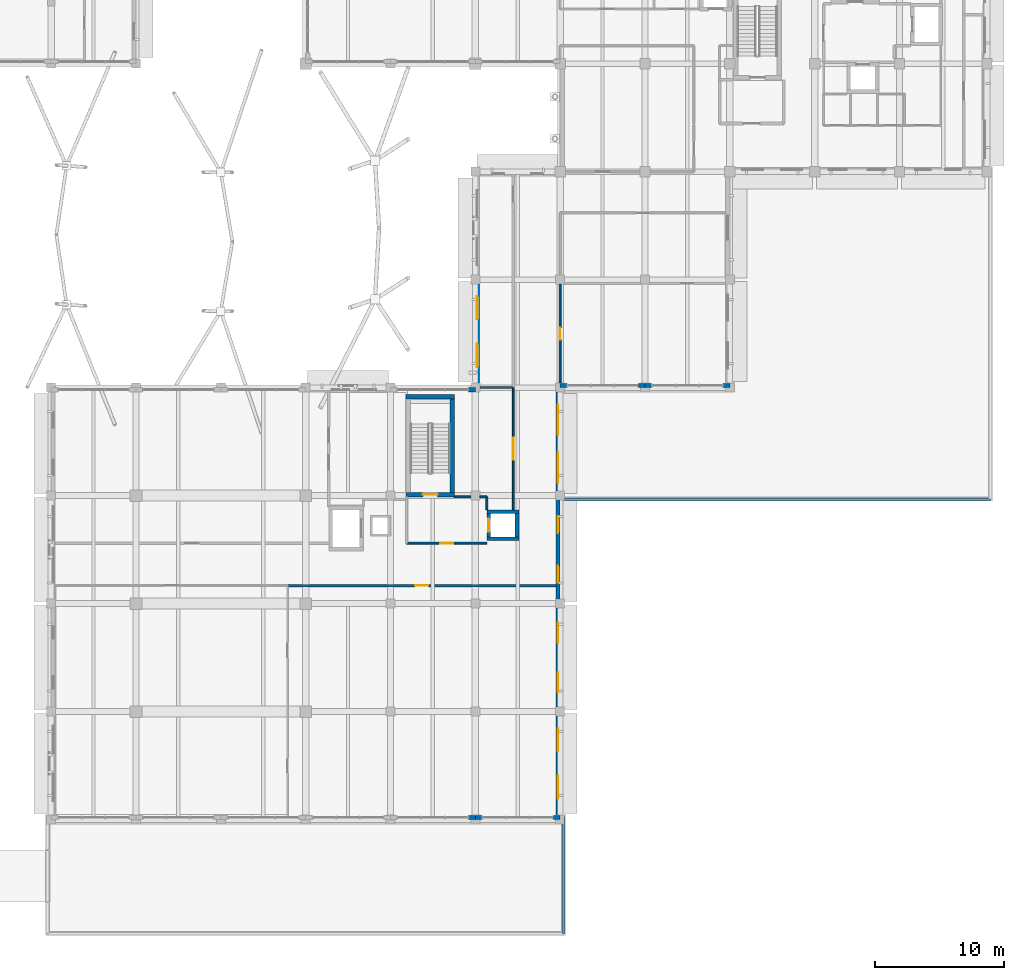
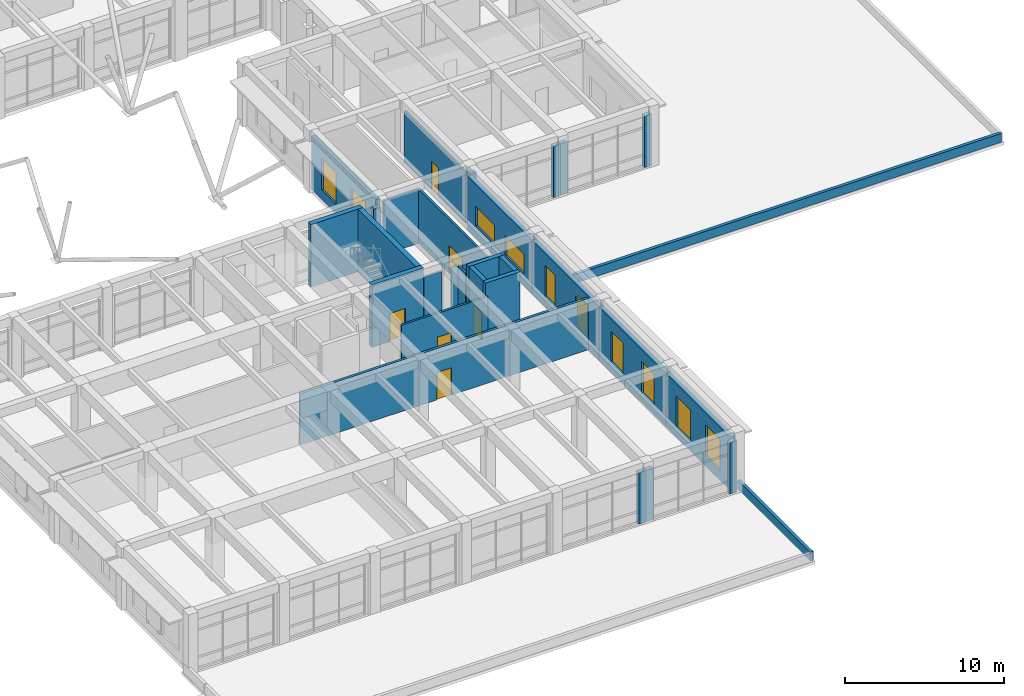
# One storey, part 51 of 75: 30 walls, 10 windows, 6 doors, 16 openings.
"""IFC4 building model written with IfcOpenShell, lengths in metres."""

from ifc_helpers import new_model, si_unit, direction, frame, frame_2d, origin, place, context, subcontext, project, spatial, rectangle, extrude, material, layer, layer_set, type_object, element, fill, save


model = new_model("IFC4")

# Units and contexts
model_context = context("Model", 3, precision=1e-05, world=origin(), true_north=direction((0.0, 1.0)))
body_context = subcontext(model_context, "Body", "Model", "MODEL_VIEW")
ifc_project = project(units=[si_unit("LENGTHUNIT", "METRE"), si_unit("AREAUNIT", "SQUARE_METRE"), si_unit("VOLUMEUNIT", "CUBIC_METRE"), si_unit("PLANEANGLEUNIT", "RADIAN"), si_unit("MASSUNIT", "GRAM", prefix="KILO")], contexts=[model_context])

# Site, building, storey
site_placement = place(None, origin())
site = spatial("IfcSite", under=ifc_project, at=site_placement, CompositionType="ELEMENT")
building_placement = place(site_placement, origin())
building = spatial("IfcBuilding", under=site, at=building_placement, Name="Kolvaren Faculty of Natural Sciences", CompositionType="ELEMENT")
storey_placement = place(building_placement, frame((0.0, 0.0, 5.39990234375)))
storey = spatial("IfcBuildingStorey", under=building, at=storey_placement, Name="L01", CompositionType="ELEMENT", Elevation=5.39990234375)

# Wall
ifc_material_1 = material(Name="Acoustic mineral-wool insulated gypsum partition")
ifc_layer_1 = layer(ifc_material_1, 0.159912109375)
ifc_layer_set_1 = layer_set([ifc_layer_1], Name="Acoustic mineral-wool insulated gypsum partition")
wall_type_1 = type_object("IfcWallType", Name="ClassroomPartitionWall_160", PredefinedType="PARTITIONING", material=ifc_layer_set_1)
wall_1_placement = place(storey_placement, frame((135.14990234375, 42.199951171875, 0.0), z_axis=(0.0, 0.0, 1.0), x_axis=(-1.0, 0.0, 0.0)))
element("IfcWall", 1, at=wall_1_placement, inside=storey, type_object=wall_type_1, Name="L01 interior partition PW-160", PredefinedType="PARTITIONING", context=body_context, shape_type="SweptSolid", body=[
    extrude(rectangle(XDim=2.599853515625, YDim=0.159912109375, at=frame_2d((1.2998046875, 0.0))), origin(), (0.0, 0.0, 1.0), 4.135009765625),
])

# Wall, opening, door
ifc_layer_2 = layer(ifc_material_1, 0.14501953125)
ifc_layer_set_2 = layer_set([ifc_layer_2], Name="Acoustic mineral-wool insulated gypsum partition")
wall_type_2 = type_object("IfcWallType", Name="CommonsPartitionWall_145", PredefinedType="PARTITIONING", material=ifc_layer_set_2)
wall_2_placement = place(storey_placement, frame((138.800048828125, 42.550048828125, 0.0), z_axis=(0.0, 0.0, 1.0), x_axis=(0.0, 1.0, 0.0)))
wall_2 = element("IfcWall", 2, at=wall_2_placement, inside=storey, type_object=wall_type_2, Name="L01 interior partition PW-145", PredefinedType="PARTITIONING", context=body_context, shape_type="SweptSolid", body=[
    extrude(rectangle(XDim=7.699951171875, YDim=0.14501953125, at=frame_2d((3.85009765625, 0.0))), origin(), (0.0, 0.0, 1.0), 3.93505859375),
])
opening_1_placement = place(wall_2_placement, frame((3.389892578125, 0.0, 0.0)))
opening_1 = element("IfcOpeningElement", 3, at=opening_1_placement, cuts=wall_2, Name="Opening ID-19", PredefinedType="OPENING", context=body_context, shape_type="SweptSolid", body=[
    extrude(rectangle(XDim=0.919921875, YDim=2.139892578125, at=frame_2d((0.4599609375, 1.06982421875))), frame((0.0, 0.08251953125, 0.0), z_axis=(0.0, -1.0, 0.0), x_axis=(1.0, 0.0, 0.0)), (0.0, 0.0, 1.0), 0.1650390625),
])
ifc_material_2 = material(Name="Solid-core hardwood veneer door leaf in steel frame", Category="steel")
door_type_1 = type_object("IfcDoorType", Name="InteriorRoomDoor_920x2140", OperationType="NOTDEFINED", PredefinedType="DOOR", material=ifc_material_2)
door_1_placement = place(opening_1_placement, origin())
door_1 = element("IfcDoor", 4, at=door_1_placement, inside=storey, type_object=door_type_1, Name="D-L01-0153", OperationType="SINGLE_SWING_LEFT", OverallHeight=2.139892578125, OverallWidth=0.919921875, PredefinedType="DOOR", context=body_context, shape_type="SweptSolid", body=[
    extrude(rectangle(XDim=0.919921875, YDim=2.139892578125, at=frame_2d((0.4599609375, 1.06982421875))), frame((0.0, 0.02490234375, 0.0), z_axis=(0.0, -1.0, 0.0), x_axis=(1.0, 0.0, 0.0)), (0.0, 0.0, 1.0), 0.050048828125),
])
fill(opening_1, door_1)

wall_3_placement = place(storey_placement, frame((135.14990234375, 42.199951171875, 0.0), z_axis=(0.0, 0.0, 1.0), x_axis=(0.0, -1.0, 0.0)))
wall_3 = element("IfcWall", 5, at=wall_3_placement, inside=storey, type_object=wall_type_2, Name="L01 interior partition PW-145", PredefinedType="PARTITIONING", context=body_context, shape_type="SweptSolid", body=[
    extrude(rectangle(XDim=9.498046875, YDim=0.14501953125, at=frame_2d((4.7490234375, 0.0))), origin(), (0.0, 0.0, 1.0), 4.135009765625),
])
opening_2_placement = place(wall_3_placement, frame((3.89892578125, 0.0, 0.0)))
opening_2 = element("IfcOpeningElement", 6, at=opening_2_placement, cuts=wall_3, Name="Opening ID-30", PredefinedType="OPENING", context=body_context, shape_type="SweptSolid", body=[
    extrude(rectangle(XDim=1.699951171875, YDim=2.139892578125, at=frame_2d((0.85009765625, 1.06982421875))), frame((0.0, 0.08251953125, 0.0), z_axis=(0.0, -1.0, 0.0), x_axis=(1.0, 0.0, 0.0)), (0.0, 0.0, 1.0), 0.1650390625),
])
ifc_material_3 = material(Name="Thermally broken anodised aluminium glazed door", Category="aluminium")
door_type_2 = type_object("IfcDoorType", Name="InteriorRoomDoor_1700x2140", OperationType="DOUBLE_DOOR_SINGLE_SWING", PredefinedType="DOOR", material=ifc_material_3)
door_2_placement = place(opening_2_placement, origin())
door_2 = element("IfcDoor", 7, at=door_2_placement, inside=storey, type_object=door_type_2, Name="D-L01-0166", OperationType="DOUBLE_DOOR_SINGLE_SWING", OverallHeight=2.139892578125, OverallWidth=1.699951171875, PredefinedType="DOOR", context=body_context, shape_type="SweptSolid", body=[
    extrude(rectangle(XDim=1.699951171875, YDim=2.139892578125, at=frame_2d((0.85009765625, 1.06982421875))), frame((0.0, 0.02490234375, 0.0), z_axis=(0.0, -1.0, 0.0), x_axis=(1.0, 0.0, 0.0)), (0.0, 0.0, 1.0), 0.050048828125),
])
fill(opening_2, door_2)

ifc_material_4 = material(Name="Concrete C40/50", Category="concrete")
ifc_layer_3 = layer(ifc_material_4, 0.35009765625)
ifc_layer_set_3 = layer_set([ifc_layer_3], Name="Concrete C40/50")
wall_type_3 = type_object("IfcWallType", Name="CoreShearWall_350", PredefinedType="SHEAR", material=ifc_layer_set_3)
wall_4_placement = place(storey_placement, frame((126.824951171875, 33.875, 0.0), z_axis=(0.0, 0.0, 1.0), x_axis=(1.0, 0.0, 0.0)))
wall_4 = element("IfcWall", 8, at=wall_4_placement, inside=storey, type_object=wall_type_3, Name="L01 CORE-C3 stair shear wall S", PredefinedType="SHEAR", context=body_context, shape_type="SweptSolid", body=[
    extrude(rectangle(XDim=3.75, YDim=0.35009765625, at=frame_2d((1.875, 0.0))), origin(), (0.0, 0.0, 1.0), 4.800048828125),
])
opening_3_placement = place(wall_4_placement, frame((1.300048828125, 0.0, 0.0)))
opening_3 = element("IfcOpeningElement", 9, at=opening_3_placement, cuts=wall_4, Name="Opening FD90", PredefinedType="OPENING", context=body_context, shape_type="SweptSolid", body=[
    extrude(rectangle(XDim=1.14990234375, YDim=2.14990234375, at=frame_2d((0.574951171875, 1.074951171875))), frame((0.0, 0.18505859375, 0.0), z_axis=(0.0, -1.0, 0.0), x_axis=(1.0, 0.0, 0.0)), (0.0, 0.0, 1.0), 0.3701171875),
])
ifc_material_5 = material(Name="Fire-rated solid-core hardwood door leaf in steel frame", Category="steel")
door_type_3 = type_object("IfcDoorType", Name="StairCoreFireDoor_1150x2150", OperationType="NOTDEFINED", PredefinedType="DOOR", material=ifc_material_5)
door_3_placement = place(opening_3_placement, origin())
door_3 = element("IfcDoor", 10, at=door_3_placement, inside=storey, type_object=door_type_3, Name="D-ST-ST-3-L01", OperationType="SINGLE_SWING_LEFT", OverallHeight=2.14990234375, OverallWidth=1.14990234375, PredefinedType="DOOR", context=body_context, shape_type="SweptSolid", body=[
    extrude(rectangle(XDim=1.14990234375, YDim=2.14990234375, at=frame_2d((0.574951171875, 1.074951171875))), frame((0.0, 0.02490234375, 0.0), z_axis=(0.0, -1.0, 0.0), x_axis=(1.0, 0.0, 0.0)), (0.0, 0.0, 1.0), 0.050048828125),
])
fill(opening_3, door_3)

# Walls
wall_5_placement = place(storey_placement, frame((126.824951171875, 41.5, 0.0), z_axis=(0.0, 0.0, 1.0), x_axis=(1.0, 0.0, 0.0)))
element("IfcWall", 11, at=wall_5_placement, inside=storey, type_object=wall_type_3, Name="L01 CORE-C3 stair shear wall N", PredefinedType="SHEAR", context=body_context, shape_type="SweptSolid", body=[
    extrude(rectangle(XDim=3.75, YDim=0.35009765625, at=frame_2d((1.875, 0.0))), origin(), (0.0, 0.0, 1.0), 4.800048828125),
])
wall_6_placement = place(storey_placement, frame((130.39990234375, 34.050048828125, 0.0), z_axis=(0.0, 0.0, 1.0), x_axis=(0.0, 1.0, 0.0)))
element("IfcWall", 12, at=wall_6_placement, inside=storey, type_object=wall_type_3, Name="L01 CORE-C3 stair shear wall E", PredefinedType="SHEAR", context=body_context, shape_type="SweptSolid", body=[
    extrude(rectangle(XDim=7.27490234375, YDim=0.35009765625, at=frame_2d((3.637451171875, 0.0))), origin(), (0.0, 0.0, 1.0), 4.800048828125),
])

# Wall, openings, windows
ifc_material_6 = material(Name="Sandstone-faced insulated cavity masonry", Category="masonry")
ifc_layer_4 = layer(ifc_material_6, 0.320068359375)
ifc_layer_set_4 = layer_set([ifc_layer_4], Name="Sandstone-faced insulated cavity masonry")
wall_type_4 = type_object("IfcWallType", Name="ExteriorCavityWall_320", PredefinedType="STANDARD", material=ifc_layer_set_4)
wall_7_placement = place(storey_placement, frame((132.360107421875, 42.52001953125, 0.0), z_axis=(0.0, 0.0, 1.0), x_axis=(0.0, 1.0, 0.0)))
wall_7 = element("IfcWall", 13, at=wall_7_placement, inside=storey, type_object=wall_type_4, Name="L01 exterior masonry wall EW-320 (183)", PredefinedType="STANDARD", context=body_context, shape_type="SweptSolid", body=[
    extrude(rectangle(XDim=8.080078125, YDim=0.320068359375, at=frame_2d((4.0400390625, 0.0))), origin(), (0.0, 0.0, 1.0), 4.085205078125),
])
opening_4_placement = place(wall_7_placement, frame((1.281494140625, 0.0, 0.75)))
opening_4 = element("IfcOpeningElement", 14, at=opening_4_placement, cuts=wall_7, Name="Opening WIN-21", PredefinedType="OPENING", context=body_context, shape_type="SweptSolid", body=[
    extrude(rectangle(XDim=1.800048828125, YDim=2.39990234375, at=frame_2d((0.89990234375, 1.199951171875))), frame((0.0, 0.169921875, 0.0), z_axis=(0.0, -1.0, 0.0), x_axis=(1.0, 0.0, 0.0)), (0.0, 0.0, 1.0), 0.340087890625),
])
opening_5_placement = place(wall_7_placement, frame((4.998291015625, 0.0, 0.75)))
opening_5 = element("IfcOpeningElement", 15, at=opening_5_placement, cuts=wall_7, Name="Opening WIN-21", PredefinedType="OPENING", context=body_context, shape_type="SweptSolid", body=[
    extrude(rectangle(XDim=1.800048828125, YDim=2.39990234375, at=frame_2d((0.89990234375, 1.199951171875))), frame((0.0, 0.169921875, 0.0), z_axis=(0.0, -1.0, 0.0), x_axis=(1.0, 0.0, 0.0)), (0.0, 0.0, 1.0), 0.340087890625),
])
ifc_material_7 = material(Name="Double low-E solar control insulated glazing", Category="glass")
window_type_1 = type_object("IfcWindowType", Name="AluWindow_WIN21_1800x2400", PartitioningType="SINGLE_PANEL", PredefinedType="WINDOW", material=ifc_material_7)
window_1_placement = place(opening_4_placement, origin())
window_1 = element("IfcWindow", 16, at=window_1_placement, inside=storey, type_object=window_type_1, Name="WIN-L01-0167", OverallHeight=2.39990234375, OverallWidth=1.800048828125, PartitioningType="SINGLE_PANEL", PredefinedType="WINDOW", context=body_context, shape_type="SweptSolid", body=[
    extrude(rectangle(XDim=1.800048828125, YDim=2.39990234375, at=frame_2d((0.89990234375, 1.199951171875))), frame((0.0, 0.030029296875, 0.0), z_axis=(0.0, -1.0, 0.0), x_axis=(1.0, 0.0, 0.0)), (0.0, 0.0, 1.0), 0.06005859375),
])
fill(opening_4, window_1)
window_2_placement = place(opening_5_placement, origin())
window_2 = element("IfcWindow", 17, at=window_2_placement, inside=storey, type_object=window_type_1, Name="WIN-L01-0168", OverallHeight=2.39990234375, OverallWidth=1.800048828125, PartitioningType="SINGLE_PANEL", PredefinedType="WINDOW", context=body_context, shape_type="SweptSolid", body=[
    extrude(rectangle(XDim=1.800048828125, YDim=2.39990234375, at=frame_2d((0.89990234375, 1.199951171875))), frame((0.0, 0.030029296875, 0.0), z_axis=(0.0, -1.0, 0.0), x_axis=(1.0, 0.0, 0.0)), (0.0, 0.0, 1.0), 0.06005859375),
])
fill(opening_5, window_2)

# Walls
for number, where, z_axis, x_axis, name in (
    (18, (152.0, 42.360107421875, 0.0), (0.0, 0.0, 1.0), (-1.0, 0.0, 0.0), "L01 curtain-wall pier stub 224"),
    (19, (145.919921875, 42.360107421875, 0.0), (0.0, 0.0, 1.0), (-1.0, 0.0, 0.0), "L01 curtain-wall pier stub 225"),
    (20, (145.39990234375, 42.360107421875, 0.0), (0.0, 0.0, 1.0), (-1.0, 0.0, 0.0), "L01 curtain-wall pier stub 226"),
    (21, (139.320068359375, 42.360107421875, 0.0), (0.0, 0.0, 1.0), (-1.0, 0.0, 0.0), "L01 curtain-wall pier stub 227"),
):
    element("IfcWall", number, at=place(storey_placement, frame(where, z_axis=z_axis, x_axis=x_axis)), inside=storey, type_object=wall_type_4, Name=name, PredefinedType="STANDARD", context=body_context, shape_type="SweptSolid", body=[
        extrude(rectangle(XDim=0.52001953125, YDim=0.320068359375, at=frame_2d((0.260009765625, 0.0))), origin(), (0.0, 0.0, 1.0), 3.93505859375),
    ])

# Wall, openings, windows
wall_8_placement = place(storey_placement, frame((138.639892578125, 41.8798828125, 0.0), z_axis=(0.0, 0.0, 1.0), x_axis=(0.0, -1.0, 0.0)))
wall_8 = element("IfcWall", 22, at=wall_8_placement, inside=storey, type_object=wall_type_4, Name="L01 exterior masonry wall EW-320 (228)", PredefinedType="STANDARD", context=body_context, shape_type="SweptSolid", body=[
    extrude(rectangle(XDim=8.079833984375, YDim=0.320068359375, at=frame_2d((4.0400390625, 0.0))), origin(), (0.0, 0.0, 1.0), 4.085205078125),
])
opening_6_placement = place(wall_8_placement, frame((1.006591796875, 0.0, 0.89990234375)))
opening_6 = element("IfcOpeningElement", 23, at=opening_6_placement, cuts=wall_8, Name="Opening WIN-18", PredefinedType="OPENING", context=body_context, shape_type="SweptSolid", body=[
    extrude(rectangle(XDim=2.35009765625, YDim=1.5, at=frame_2d((1.175048828125, 0.75))), frame((0.0, 0.169921875, 0.0), z_axis=(0.0, -1.0, 0.0), x_axis=(1.0, 0.0, 0.0)), (0.0, 0.0, 1.0), 0.340087890625),
])
opening_7_placement = place(wall_8_placement, frame((4.723388671875, 0.0, 0.89990234375)))
opening_7 = element("IfcOpeningElement", 24, at=opening_7_placement, cuts=wall_8, Name="Opening WIN-18", PredefinedType="OPENING", context=body_context, shape_type="SweptSolid", body=[
    extrude(rectangle(XDim=2.35009765625, YDim=1.5, at=frame_2d((1.175048828125, 0.75))), frame((0.0, 0.169921875, 0.0), z_axis=(0.0, -1.0, 0.0), x_axis=(1.0, 0.0, 0.0)), (0.0, 0.0, 1.0), 0.340087890625),
])
window_type_2 = type_object("IfcWindowType", Name="AluWindow_WIN18_2350x1500", PartitioningType="SINGLE_PANEL", PredefinedType="WINDOW", material=ifc_material_7)
window_3_placement = place(opening_6_placement, origin())
window_3 = element("IfcWindow", 25, at=window_3_placement, inside=storey, type_object=window_type_2, Name="WIN-L01-0199", OverallHeight=1.5, OverallWidth=2.35009765625, PartitioningType="SINGLE_PANEL", PredefinedType="WINDOW", context=body_context, shape_type="SweptSolid", body=[
    extrude(rectangle(XDim=2.35009765625, YDim=1.5, at=frame_2d((1.175048828125, 0.75))), frame((0.0, 0.030029296875, 0.0), z_axis=(0.0, -1.0, 0.0), x_axis=(1.0, 0.0, 0.0)), (0.0, 0.0, 1.0), 0.06005859375),
])
fill(opening_6, window_3)
window_4_placement = place(opening_7_placement, origin())
window_4 = element("IfcWindow", 26, at=window_4_placement, inside=storey, type_object=window_type_2, Name="WIN-L01-0200", OverallHeight=1.5, OverallWidth=2.35009765625, PartitioningType="SINGLE_PANEL", PredefinedType="WINDOW", context=body_context, shape_type="SweptSolid", body=[
    extrude(rectangle(XDim=2.35009765625, YDim=1.5, at=frame_2d((1.175048828125, 0.75))), frame((0.0, 0.030029296875, 0.0), z_axis=(0.0, -1.0, 0.0), x_axis=(1.0, 0.0, 0.0)), (0.0, 0.0, 1.0), 0.06005859375),
])
fill(opening_7, window_4)

wall_9_placement = place(storey_placement, frame((138.639892578125, 33.800048828125, 0.0), z_axis=(0.0, 0.0, 1.0), x_axis=(0.0, -1.0, 0.0)))
wall_9 = element("IfcWall", 27, at=wall_9_placement, inside=storey, type_object=wall_type_4, Name="L01 exterior masonry wall EW-320 (229)", PredefinedType="STANDARD", context=body_context, shape_type="SweptSolid", body=[
    extrude(rectangle(XDim=8.400146484375, YDim=0.320068359375, at=frame_2d((4.2001953125, 0.0))), origin(), (0.0, 0.0, 1.0), 4.085205078125),
])
opening_8_placement = place(wall_9_placement, frame((1.617919921875, 0.0, 0.75)))
opening_8 = element("IfcOpeningElement", 28, at=opening_8_placement, cuts=wall_9, Name="Opening WIN-19", PredefinedType="OPENING", context=body_context, shape_type="SweptSolid", body=[
    extrude(rectangle(XDim=1.300048828125, YDim=2.39990234375, at=frame_2d((0.64990234375, 1.199951171875))), frame((0.0, 0.169921875, 0.0), z_axis=(0.0, -1.0, 0.0), x_axis=(1.0, 0.0, 0.0)), (0.0, 0.0, 1.0), 0.340087890625),
])
opening_9_placement = place(wall_9_placement, frame((5.4599609375, 0.0, 0.75)))
opening_9 = element("IfcOpeningElement", 29, at=opening_9_placement, cuts=wall_9, Name="Opening WIN-19", PredefinedType="OPENING", context=body_context, shape_type="SweptSolid", body=[
    extrude(rectangle(XDim=1.300048828125, YDim=2.39990234375, at=frame_2d((0.64990234375, 1.199951171875))), frame((0.0, 0.169921875, 0.0), z_axis=(0.0, -1.0, 0.0), x_axis=(1.0, 0.0, 0.0)), (0.0, 0.0, 1.0), 0.340087890625),
])
window_type_3 = type_object("IfcWindowType", Name="AluWindow_WIN19_1300x2400", PartitioningType="SINGLE_PANEL", PredefinedType="WINDOW", material=ifc_material_7)
window_5_placement = place(opening_8_placement, origin())
window_5 = element("IfcWindow", 30, at=window_5_placement, inside=storey, type_object=window_type_3, Name="WIN-L01-0201", OverallHeight=2.39990234375, OverallWidth=1.300048828125, PartitioningType="SINGLE_PANEL", PredefinedType="WINDOW", context=body_context, shape_type="SweptSolid", body=[
    extrude(rectangle(XDim=1.300048828125, YDim=2.39990234375, at=frame_2d((0.64990234375, 1.199951171875))), frame((0.0, 0.030029296875, 0.0), z_axis=(0.0, -1.0, 0.0), x_axis=(1.0, 0.0, 0.0)), (0.0, 0.0, 1.0), 0.06005859375),
])
fill(opening_8, window_5)
window_6_placement = place(opening_9_placement, origin())
window_6 = element("IfcWindow", 31, at=window_6_placement, inside=storey, type_object=window_type_3, Name="WIN-L01-0202", OverallHeight=2.39990234375, OverallWidth=1.300048828125, PartitioningType="SINGLE_PANEL", PredefinedType="WINDOW", context=body_context, shape_type="SweptSolid", body=[
    extrude(rectangle(XDim=1.300048828125, YDim=2.39990234375, at=frame_2d((0.64990234375, 1.199951171875))), frame((0.0, 0.030029296875, 0.0), z_axis=(0.0, -1.0, 0.0), x_axis=(1.0, 0.0, 0.0)), (0.0, 0.0, 1.0), 0.06005859375),
])
fill(opening_9, window_6)

wall_10_placement = place(storey_placement, frame((138.639892578125, 25.39990234375, 0.0), z_axis=(0.0, 0.0, 1.0), x_axis=(0.0, -1.0, 0.0)))
wall_10 = element("IfcWall", 32, at=wall_10_placement, inside=storey, type_object=wall_type_4, Name="L01 exterior masonry wall EW-320 (230)", PredefinedType="STANDARD", context=body_context, shape_type="SweptSolid", body=[
    extrude(rectangle(XDim=8.39990234375, YDim=0.320068359375, at=frame_2d((4.199951171875, 0.0))), origin(), (0.0, 0.0, 1.0), 4.085205078125),
])
opening_10_placement = place(wall_10_placement, frame((1.492919921875, 0.0, 0.75)))
opening_10 = element("IfcOpeningElement", 33, at=opening_10_placement, cuts=wall_10, Name="Opening WIN-20", PredefinedType="OPENING", context=body_context, shape_type="SweptSolid", body=[
    extrude(rectangle(XDim=1.550048828125, YDim=2.39990234375, at=frame_2d((0.77490234375, 1.199951171875))), frame((0.0, 0.169921875, 0.0), z_axis=(0.0, -1.0, 0.0), x_axis=(1.0, 0.0, 0.0)), (0.0, 0.0, 1.0), 0.340087890625),
])
opening_11_placement = place(wall_10_placement, frame((5.35693359375, 0.0, 0.75)))
opening_11 = element("IfcOpeningElement", 34, at=opening_11_placement, cuts=wall_10, Name="Opening WIN-20", PredefinedType="OPENING", context=body_context, shape_type="SweptSolid", body=[
    extrude(rectangle(XDim=1.550048828125, YDim=2.39990234375, at=frame_2d((0.77490234375, 1.199951171875))), frame((0.0, 0.169921875, 0.0), z_axis=(0.0, -1.0, 0.0), x_axis=(1.0, 0.0, 0.0)), (0.0, 0.0, 1.0), 0.340087890625),
])
window_type_4 = type_object("IfcWindowType", Name="AluWindow_WIN20_1550x2400", PartitioningType="SINGLE_PANEL", PredefinedType="WINDOW", material=ifc_material_7)
window_7_placement = place(opening_10_placement, origin())
window_7 = element("IfcWindow", 35, at=window_7_placement, inside=storey, type_object=window_type_4, Name="WIN-L01-0203", OverallHeight=2.39990234375, OverallWidth=1.550048828125, PartitioningType="SINGLE_PANEL", PredefinedType="WINDOW", context=body_context, shape_type="SweptSolid", body=[
    extrude(rectangle(XDim=1.550048828125, YDim=2.39990234375, at=frame_2d((0.77490234375, 1.199951171875))), frame((0.0, 0.030029296875, 0.0), z_axis=(0.0, -1.0, 0.0), x_axis=(1.0, 0.0, 0.0)), (0.0, 0.0, 1.0), 0.06005859375),
])
fill(opening_10, window_7)
window_8_placement = place(opening_11_placement, origin())
window_8 = element("IfcWindow", 36, at=window_8_placement, inside=storey, type_object=window_type_4, Name="WIN-L01-0204", OverallHeight=2.39990234375, OverallWidth=1.550048828125, PartitioningType="SINGLE_PANEL", PredefinedType="WINDOW", context=body_context, shape_type="SweptSolid", body=[
    extrude(rectangle(XDim=1.550048828125, YDim=2.39990234375, at=frame_2d((0.77490234375, 1.199951171875))), frame((0.0, 0.030029296875, 0.0), z_axis=(0.0, -1.0, 0.0), x_axis=(1.0, 0.0, 0.0)), (0.0, 0.0, 1.0), 0.06005859375),
])
fill(opening_11, window_8)

wall_11_placement = place(storey_placement, frame((138.639892578125, 17.0, 0.0), z_axis=(0.0, 0.0, 1.0), x_axis=(0.0, -1.0, 0.0)))
wall_11 = element("IfcWall", 37, at=wall_11_placement, inside=storey, type_object=wall_type_4, Name="L01 exterior masonry wall EW-320 (231)", PredefinedType="STANDARD", context=body_context, shape_type="SweptSolid", body=[
    extrude(rectangle(XDim=8.080078125, YDim=0.320068359375, at=frame_2d((4.0400390625, 0.0))), origin(), (0.0, 0.0, 1.0), 4.085205078125),
])
opening_12_placement = place(wall_11_placement, frame((1.281494140625, 0.0, 0.75)))
opening_12 = element("IfcOpeningElement", 38, at=opening_12_placement, cuts=wall_11, Name="Opening WIN-21", PredefinedType="OPENING", context=body_context, shape_type="SweptSolid", body=[
    extrude(rectangle(XDim=1.800048828125, YDim=2.39990234375, at=frame_2d((0.89990234375, 1.199951171875))), frame((0.0, 0.169921875, 0.0), z_axis=(0.0, -1.0, 0.0), x_axis=(1.0, 0.0, 0.0)), (0.0, 0.0, 1.0), 0.340087890625),
])
opening_13_placement = place(wall_11_placement, frame((4.998291015625, 0.0, 0.75)))
opening_13 = element("IfcOpeningElement", 39, at=opening_13_placement, cuts=wall_11, Name="Opening WIN-21", PredefinedType="OPENING", context=body_context, shape_type="SweptSolid", body=[
    extrude(rectangle(XDim=1.800048828125, YDim=2.39990234375, at=frame_2d((0.89990234375, 1.199951171875))), frame((0.0, 0.169921875, 0.0), z_axis=(0.0, -1.0, 0.0), x_axis=(1.0, 0.0, 0.0)), (0.0, 0.0, 1.0), 0.340087890625),
])
window_9_placement = place(opening_12_placement, origin())
window_9 = element("IfcWindow", 40, at=window_9_placement, inside=storey, type_object=window_type_1, Name="WIN-L01-0205", OverallHeight=2.39990234375, OverallWidth=1.800048828125, PartitioningType="SINGLE_PANEL", PredefinedType="WINDOW", context=body_context, shape_type="SweptSolid", body=[
    extrude(rectangle(XDim=1.800048828125, YDim=2.39990234375, at=frame_2d((0.89990234375, 1.199951171875))), frame((0.0, 0.030029296875, 0.0), z_axis=(0.0, -1.0, 0.0), x_axis=(1.0, 0.0, 0.0)), (0.0, 0.0, 1.0), 0.06005859375),
])
fill(opening_12, window_9)
window_10_placement = place(opening_13_placement, origin())
window_10 = element("IfcWindow", 41, at=window_10_placement, inside=storey, type_object=window_type_1, Name="WIN-L01-0206", OverallHeight=2.39990234375, OverallWidth=1.800048828125, PartitioningType="SINGLE_PANEL", PredefinedType="WINDOW", context=body_context, shape_type="SweptSolid", body=[
    extrude(rectangle(XDim=1.800048828125, YDim=2.39990234375, at=frame_2d((0.89990234375, 1.199951171875))), frame((0.0, 0.030029296875, 0.0), z_axis=(0.0, -1.0, 0.0), x_axis=(1.0, 0.0, 0.0)), (0.0, 0.0, 1.0), 0.06005859375),
])
fill(opening_13, window_10)

# Walls
for number, where, z_axis, x_axis, name in (
    (42, (138.800048828125, 8.760009765625, 0.0), (0.0, 0.0, 1.0), (-1.0, 0.0, 0.0), "L01 curtain-wall pier stub 232"),
    (43, (132.719970703125, 8.760009765625, 0.0), (0.0, 0.0, 1.0), (-1.0, 0.0, 0.0), "L01 curtain-wall pier stub 233"),
    (44, (132.199951171875, 8.760009765625, 0.0), (0.0, 0.0, 1.0), (-1.0, 0.0, 0.0), "L01 curtain-wall pier stub 234"),
    (45, (131.679931640625, 42.0400390625, 0.0), (0.0, 0.0, 1.0), (1.0, 0.0, 0.0), "L01 curtain-wall pier stub 256"),
):
    element("IfcWall", number, at=place(storey_placement, frame(where, z_axis=z_axis, x_axis=x_axis)), inside=storey, type_object=wall_type_4, Name=name, PredefinedType="STANDARD", context=body_context, shape_type="SweptSolid", body=[
        extrude(rectangle(XDim=0.52001953125, YDim=0.320068359375, at=frame_2d((0.260009765625, 0.0))), origin(), (0.0, 0.0, 1.0), 3.93505859375),
    ])

# Wall, opening, door
ifc_layer_5 = layer(ifc_material_1, 0.18505859375)
ifc_layer_set_5 = layer_set([ifc_layer_5], Name="Acoustic mineral-wool insulated gypsum partition")
wall_type_5 = type_object("IfcWallType", Name="LabPartitionWall_185", PredefinedType="PARTITIONING", material=ifc_layer_set_5)
wall_12_placement = place(storey_placement, frame((117.60009765625, 26.800048828125, 0.0), z_axis=(0.0, 0.0, 1.0), x_axis=(1.0, 0.0, 0.0)))
wall_12 = element("IfcWall", 46, at=wall_12_placement, inside=storey, type_object=wall_type_5, Name="L01 interior partition PW-185", PredefinedType="PARTITIONING", context=body_context, shape_type="SweptSolid", body=[
    extrude(rectangle(XDim=20.8779296875, YDim=0.18505859375, at=frame_2d((10.43896484375, 0.0))), origin(), (0.0, 0.0, 1.0), 3.93505859375),
])
opening_14_placement = place(wall_12_placement, frame((9.924072265625, 0.0, 0.0)))
opening_14 = element("IfcOpeningElement", 47, at=opening_14_placement, cuts=wall_12, Name="Opening ID-15", PredefinedType="OPENING", context=body_context, shape_type="SweptSolid", body=[
    extrude(rectangle(XDim=1.030029296875, YDim=2.10009765625, at=frame_2d((0.51513671875, 1.050048828125))), frame((0.0, 0.1025390625, 0.0), z_axis=(0.0, -1.0, 0.0), x_axis=(1.0, 0.0, 0.0)), (0.0, 0.0, 1.0), 0.205078125),
])
door_type_4 = type_object("IfcDoorType", Name="InteriorRoomDoor_1030x2100", OperationType="NOTDEFINED", PredefinedType="DOOR", material=ifc_material_2)
door_4_placement = place(opening_14_placement, origin())
door_4 = element("IfcDoor", 48, at=door_4_placement, inside=storey, type_object=door_type_4, Name="D-L01-0147", OperationType="SINGLE_SWING_LEFT", OverallHeight=2.10009765625, OverallWidth=1.030029296875, PredefinedType="DOOR", context=body_context, shape_type="SweptSolid", body=[
    extrude(rectangle(XDim=1.030029296875, YDim=2.10009765625, at=frame_2d((0.51513671875, 1.050048828125))), frame((0.0, 0.02490234375, 0.0), z_axis=(0.0, -1.0, 0.0), x_axis=(1.0, 0.0, 0.0)), (0.0, 0.0, 1.0), 0.050048828125),
])
fill(opening_14, door_4)

# Walls
ifc_material_8 = material(Name="Precast concrete C35/45", Category="concrete")
ifc_layer_6 = layer(ifc_material_8, 0.219970703125)
ifc_layer_set_6 = layer_set([ifc_layer_6], Name="Precast concrete C35/45")
wall_type_6 = type_object("IfcWallType", Name="ParapetUpstandWall_220", PredefinedType="PARAPET", material=ifc_layer_set_6)
wall_13_placement = place(storey_placement, frame((139.080078125, 8.830078125, 0.0), z_axis=(0.0, 0.0, 1.0), x_axis=(0.0, -1.0, 0.0)))
element("IfcWall", 49, at=wall_13_placement, inside=storey, type_object=wall_type_6, Name="L01 architectural sandstone roof parapet 3", PredefinedType="PARAPET", context=body_context, shape_type="SweptSolid", body=[
    extrude(rectangle(XDim=9.110107421875, YDim=0.219970703125, at=frame_2d((4.55517578125, 0.0))), origin(), (0.0, 0.0, 1.0), 0.68017578125),
])
wall_14_placement = place(storey_placement, frame((172.280029296875, 33.52001953125, 0.0), z_axis=(0.0, 0.0, 1.0), x_axis=(-1.0, 0.0, 0.0)))
element("IfcWall", 50, at=wall_14_placement, inside=storey, type_object=wall_type_6, Name="L01 architectural sandstone roof parapet 13", PredefinedType="PARAPET", context=body_context, shape_type="SweptSolid", body=[
    extrude(rectangle(XDim=33.22998046875, YDim=0.219970703125, at=frame_2d((16.614990234375, 0.0))), origin(), (0.0, 0.0, 1.0), 0.68017578125),
])
ifc_material_9 = material(Name="Double fire-rated gypsum board on 100 mm steel stud", Category="steel")
ifc_layer_7 = layer(ifc_material_9, 0.14990234375)
ifc_layer_set_7 = layer_set([ifc_layer_7], Name="Double fire-rated gypsum board on 100 mm steel stud")
wall_type_7 = type_object("IfcWallType", Name="RatedCorridorWall_150", PredefinedType="PARTITIONING", material=ifc_layer_set_7)
wall_15_placement = place(storey_placement, frame((130.574951171875, 33.699951171875, 0.0), z_axis=(0.0, 0.0, 1.0), x_axis=(1.0, 0.0, 0.0)))
element("IfcWall", 51, at=wall_15_placement, inside=storey, type_object=wall_type_7, Name="L01 interior partition LW-150", PredefinedType="PARTITIONING", context=body_context, shape_type="SweptSolid", body=[
    extrude(rectangle(XDim=1.275146484375, YDim=0.14990234375, at=frame_2d((0.6376953125, 0.0))), origin(), (0.0, 0.0, 1.0), 4.135009765625),
])
wall_16_placement = place(storey_placement, frame((132.550048828125, 33.699951171875, 0.0), z_axis=(0.0, 0.0, 1.0), x_axis=(1.0, 0.0, 0.0)))
element("IfcWall", 52, at=wall_16_placement, inside=storey, type_object=wall_type_7, Name="L01 interior partition LW-150", PredefinedType="PARTITIONING", context=body_context, shape_type="SweptSolid", body=[
    extrude(rectangle(XDim=0.550048828125, YDim=0.14990234375, at=frame_2d((0.27490234375, 0.0))), origin(), (0.0, 0.0, 1.0), 4.135009765625),
])
wall_17_placement = place(storey_placement, frame((133.10009765625, 33.699951171875, 0.0), z_axis=(0.0, 0.0, 1.0), x_axis=(0.0, -1.0, 0.0)))
element("IfcWall", 53, at=wall_17_placement, inside=storey, type_object=wall_type_7, Name="L01 interior partition LW-150", PredefinedType="PARTITIONING", context=body_context, shape_type="SweptSolid", body=[
    extrude(rectangle(XDim=0.998046875, YDim=0.14990234375, at=frame_2d((0.4990234375, 0.0))), origin(), (0.0, 0.0, 1.0), 4.135009765625),
])

# Wall, opening, door
wall_18_placement = place(storey_placement, frame((133.10009765625, 30.10009765625, 0.0), z_axis=(0.0, 0.0, 1.0), x_axis=(-1.0, 0.0, 0.0)))
wall_18 = element("IfcWall", 54, at=wall_18_placement, inside=storey, type_object=wall_type_7, Name="L01 interior partition LW-150", PredefinedType="PARTITIONING", context=body_context, shape_type="SweptSolid", body=[
    extrude(rectangle(XDim=6.25, YDim=0.14990234375, at=frame_2d((3.125, 0.0))), origin(), (0.0, 0.0, 1.0), 3.93505859375),
])
opening_15_placement = place(wall_18_placement, frame((2.625, 0.0, 0.0)))
opening_15 = element("IfcOpeningElement", 55, at=opening_15_placement, cuts=wall_18, Name="Opening FD30", PredefinedType="OPENING", context=body_context, shape_type="SweptSolid", body=[
    extrude(rectangle(XDim=1.0, YDim=2.10009765625, at=frame_2d((0.5, 1.050048828125))), frame((0.0, 0.0849609375, 0.0), z_axis=(0.0, -1.0, 0.0), x_axis=(1.0, 0.0, 0.0)), (0.0, 0.0, 1.0), 0.169921875),
])
door_type_5 = type_object("IfcDoorType", Name="CorridorFireDoor_1000x2100", OperationType="NOTDEFINED", PredefinedType="DOOR", material=ifc_material_5)
door_5_placement = place(opening_15_placement, origin())
door_5 = element("IfcDoor", 56, at=door_5_placement, inside=storey, type_object=door_type_5, Name="D-L01-0105", OperationType="SINGLE_SWING_LEFT", OverallHeight=2.10009765625, OverallWidth=1.0, PredefinedType="DOOR", context=body_context, shape_type="SweptSolid", body=[
    extrude(rectangle(XDim=1.0, YDim=2.10009765625, at=frame_2d((0.5, 1.050048828125))), frame((0.0, 0.02490234375, 0.0), z_axis=(0.0, -1.0, 0.0), x_axis=(1.0, 0.0, 0.0)), (0.0, 0.0, 1.0), 0.050048828125),
])
fill(opening_15, door_5)

# Walls
ifc_layer_8 = layer(ifc_material_4, 0.300048828125)
ifc_layer_set_8 = layer_set([ifc_layer_8], Name="Concrete C40/50")
wall_type_8 = type_object("IfcWallType", Name="ShaftShearWall_300", PredefinedType="SHEAR", material=ifc_layer_set_8)
for number, where, z_axis, x_axis, name in (
    (57, (133.10009765625, 30.449951171875, 0.0), (0.0, 0.0, 1.0), (1.0, 0.0, 0.0), "L01 lift PL-3 shaft wall S"),
    (58, (133.10009765625, 32.550048828125, 0.0), (0.0, 0.0, 1.0), (1.0, 0.0, 0.0), "L01 lift PL-3 shaft wall N"),
):
    element("IfcWall", number, at=place(storey_placement, frame(where, z_axis=z_axis, x_axis=x_axis)), inside=storey, type_object=wall_type_8, Name=name, PredefinedType="SHEAR", context=body_context, shape_type="SweptSolid", body=[
        extrude(rectangle(XDim=2.5, YDim=0.300048828125, at=frame_2d((1.25, 0.0))), origin(), (0.0, 0.0, 1.0), 4.800048828125),
    ])

# Wall, opening, door
wall_19_placement = place(storey_placement, frame((133.25, 30.60009765625, 0.0), z_axis=(0.0, 0.0, 1.0), x_axis=(0.0, 1.0, 0.0)))
wall_19 = element("IfcWall", 59, at=wall_19_placement, inside=storey, type_object=wall_type_8, Name="L01 lift PL-3 shaft wall W", PredefinedType="SHEAR", context=body_context, shape_type="SweptSolid", body=[
    extrude(rectangle(XDim=1.7998046875, YDim=0.300048828125, at=frame_2d((0.89990234375, 0.0))), origin(), (0.0, 0.0, 1.0), 4.800048828125),
])
opening_16_placement = place(wall_19_placement, frame((0.39990234375, 0.0, 0.0)))
opening_16 = element("IfcOpeningElement", 60, at=opening_16_placement, cuts=wall_19, Name="Opening LD-02", PredefinedType="OPENING", context=body_context, shape_type="SweptSolid", body=[
    extrude(rectangle(XDim=1.0, YDim=2.10009765625, at=frame_2d((0.5, 1.050048828125))), frame((0.0, 0.159912109375, 0.0), z_axis=(0.0, -1.0, 0.0), x_axis=(1.0, 0.0, 0.0)), (0.0, 0.0, 1.0), 0.320068359375),
])
ifc_material_10 = material(Name="Brushed stainless steel lift car and sliding door assembly", Category="steel")
door_type_6 = type_object("IfcDoorType", Name="LiftLandingSliding_1000x2100", OperationType="SLIDING_TO_LEFT", PredefinedType="DOOR", material=ifc_material_10)
door_6_placement = place(opening_16_placement, origin())
door_6 = element("IfcDoor", 61, at=door_6_placement, inside=storey, type_object=door_type_6, Name="D-LIFT-PL-3-L01", OperationType="SLIDING_TO_LEFT", OverallHeight=2.10009765625, OverallWidth=1.0, PredefinedType="DOOR", context=body_context, shape_type="SweptSolid", body=[
    extrude(rectangle(XDim=1.0, YDim=2.10009765625, at=frame_2d((0.5, 1.050048828125))), frame((0.0, 0.02490234375, 0.0), z_axis=(0.0, -1.0, 0.0), x_axis=(1.0, 0.0, 0.0)), (0.0, 0.0, 1.0), 0.050048828125),
])
fill(opening_16, door_6)

# Wall
wall_20_placement = place(storey_placement, frame((135.449951171875, 30.60009765625, 0.0), z_axis=(0.0, 0.0, 1.0), x_axis=(0.0, 1.0, 0.0)))
element("IfcWall", 62, at=wall_20_placement, inside=storey, type_object=wall_type_8, Name="L01 lift PL-3 shaft wall E", PredefinedType="SHEAR", context=body_context, shape_type="SweptSolid", body=[
    extrude(rectangle(XDim=1.7998046875, YDim=0.300048828125, at=frame_2d((0.89990234375, 0.0))), origin(), (0.0, 0.0, 1.0), 4.800048828125),
])

save(model, "model.ifc")
